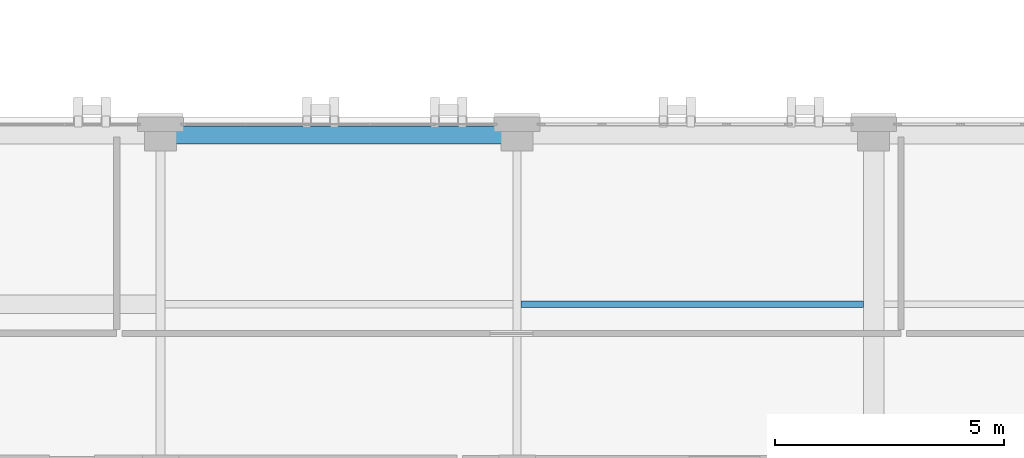
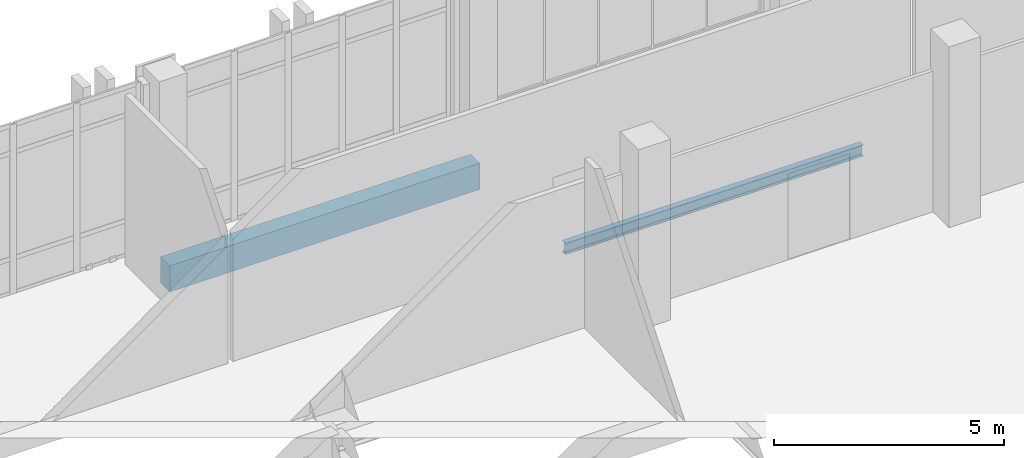
# One storey, part 122 of 189: 2 beams.
"""IFC4 building model written with IfcOpenShell, lengths in metres."""

import ifcopenshell
import ifcopenshell.guid

model = None  # the IFC model being written
_history = None  # IfcOwnerHistory: only IFC2X3 demands one
_inside = {}  # id of a spatial element -> (the spatial element, [elements in it])
_under = {}  # id of a project, library or spatial element -> (it, [spatial elements below it])
_declared = {}  # id of a project -> (the project, [libraries it declares])
_typed = {}  # id of a type object -> (the type object, [elements of that type])
_made_of = {}  # id of a material, layer set ... -> (it, [elements and type objects made of it])


def new_model(schema):
    """Start an empty IFC model of exactly this schema.

    Asked for "IFC4X3", IfcOpenShell would pick the latest addendum, in which some entities
    have other attributes; the version numbers below select the first issue.
    IFC2X3 requires an IfcOwnerHistory on every rooted entity: one is made here for all.
    """
    global model, _history
    if schema == "IFC4X3":
        model = ifcopenshell.file(schema_version=(4, 3, 0, 0))
    else:
        model = ifcopenshell.file(schema=schema)
    _inside.clear()
    _under.clear()
    _declared.clear()
    _typed.clear()
    _made_of.clear()
    _history = None
    if model.schema == "IFC2X3":
        org = make("IfcOrganization", Name="unknown")
        user = make(
            "IfcPersonAndOrganization",
            ThePerson=make("IfcPerson", FamilyName="unknown"),
            TheOrganization=org,
        )
        app = make(
            "IfcApplication",
            ApplicationDeveloper=org,
            Version="unknown",
            ApplicationFullName="unknown",
            ApplicationIdentifier="unknown",
        )
        _history = make(
            "IfcOwnerHistory",
            OwningUser=user,
            OwningApplication=app,
            ChangeAction="ADDED",
            CreationDate=0,
        )
    return model


def make(cls, **values):
    """One entity of the class cls with the attributes given. An attribute that is None is left unset."""
    return model.create_entity(
        cls, **{name: value for name, value in values.items() if value is not None}
    )


def rooted(cls, **values):
    """An entity with a GlobalId (a new one), such as an element, a storey or a relation."""
    return make(cls, GlobalId=ifcopenshell.guid.new(), OwnerHistory=_history, **values)


def si_unit(unit_type, name, prefix=None):
    """IfcSIUnit, for example si_unit("LENGTHUNIT", "METRE", prefix="MILLI")."""
    return make("IfcSIUnit", UnitType=unit_type, Prefix=prefix, Name=name)


def assignment(units):
    """IfcUnitAssignment: the units of a project."""
    return None if units is None else make("IfcUnitAssignment", Units=units)


def point(xyz):
    """IfcCartesianPoint."""
    return None if xyz is None else make("IfcCartesianPoint", Coordinates=xyz)


def direction(xyz):
    """IfcDirection."""
    return None if xyz is None else make("IfcDirection", DirectionRatios=xyz)


def frame(location, z_axis=None, x_axis=None):
    """IfcAxis2Placement3D, a coordinate frame: its origin and axes. An axis left out is left unset."""
    return make(
        "IfcAxis2Placement3D",
        Location=point(location),
        Axis=direction(z_axis),
        RefDirection=direction(x_axis),
    )


def frame_2d(location, x_axis=None):
    """IfcAxis2Placement2D, a coordinate frame in the plane: its origin and x axis."""
    return make(
        "IfcAxis2Placement2D", Location=point(location), RefDirection=direction(x_axis)
    )


def origin():
    """The frame at (0, 0, 0) with its axes left unset."""
    return frame((0.0, 0.0, 0.0))


def origin_2d():
    """The frame at (0, 0) in the plane with its x axis left unset."""
    return frame_2d((0.0, 0.0))


def place(relative_to, where):
    """IfcLocalPlacement: puts the frame where relative to a parent placement (None: the world)."""
    return make(
        "IfcLocalPlacement", PlacementRelTo=relative_to, RelativePlacement=where
    )


def context(
    kind, dimensions, precision=None, world=None, true_north=None, identifier=None
):
    """IfcGeometricRepresentationContext, for example the 3D "Model" context."""
    return make(
        "IfcGeometricRepresentationContext",
        ContextIdentifier=identifier,
        ContextType=kind,
        CoordinateSpaceDimension=dimensions,
        Precision=precision,
        WorldCoordinateSystem=world,
        TrueNorth=true_north,
    )


def subcontext(parent, identifier, kind, view, scale=None):
    """IfcGeometricRepresentationSubContext, for example "Body" below "Model"."""
    return make(
        "IfcGeometricRepresentationSubContext",
        ContextIdentifier=identifier,
        ContextType=kind,
        ParentContext=parent,
        TargetScale=scale,
        TargetView=view,
    )


def project(units=None, contexts=None):
    """IfcProject with its units and contexts."""
    return rooted(
        "IfcProject",
        Name="project",
        RepresentationContexts=contexts,
        UnitsInContext=assignment(units),
    )


def spatial(cls, under=None, at=None, **own):
    """A site, building, storey or space (cls), placed at a placement, below another one or the project."""
    s = rooted(cls, ObjectPlacement=at, **own)
    if under is not None:
        _under.setdefault(under.id(), (under, []))[1].append(s)
    return s


def profile(cls, at=None, kind="AREA", **sizes):
    """A parametric profile (cls). Its sizes go by their IFC names, for example OverallWidth=200.0."""
    return make(cls, ProfileType=kind, Position=at, **sizes)


def rectangle(**sizes):
    """IfcRectangleProfileDef."""
    return profile("IfcRectangleProfileDef", **sizes)


def i_section(**sizes):
    """IfcIShapeProfileDef."""
    return profile("IfcIShapeProfileDef", **sizes)


def extrude(swept, where, along, depth):
    """IfcExtrudedAreaSolid: the profile swept, set in the frame where, extruded along a direction by depth."""
    return make(
        "IfcExtrudedAreaSolid",
        SweptArea=swept,
        Position=where,
        ExtrudedDirection=direction(along),
        Depth=depth,
    )


def shape(context_of_items, identifier, shape_type, items):
    """IfcShapeRepresentation: the items that make up one representation, for example the "Body"."""
    return make(
        "IfcShapeRepresentation",
        ContextOfItems=context_of_items,
        RepresentationIdentifier=identifier,
        RepresentationType=shape_type,
        Items=items,
    )


def material(Name=None, Category=None):
    """IfcMaterial."""
    return make("IfcMaterial", Name=Name, Category=Category)


def material_profile(
    of_material, cross_section, Name=None, Category=None, Priority=None
):
    """IfcMaterialProfile: a cross section and its material."""
    return make(
        "IfcMaterialProfile",
        Name=Name,
        Material=of_material,
        Profile=cross_section,
        Priority=Priority,
        Category=Category,
    )


def profile_set(profiles, Name=None, composite=None):
    """IfcMaterialProfileSet."""
    return make(
        "IfcMaterialProfileSet",
        Name=Name,
        MaterialProfiles=profiles,
        CompositeProfile=composite,
    )


def made_of(thing, what):
    """Note that an element or type object is made of a material, layer set ...; save() writes the relation."""
    if what is not None:
        _made_of.setdefault(what.id(), (what, []))[1].append(thing)
    return thing


def type_object(cls, material=None, **own):
    """A type object (cls), such as IfcWallType, which elements share."""
    return made_of(rooted(cls, **own), material)


def element(
    cls,
    number,
    at=None,
    inside=None,
    cuts=None,
    type_object=None,
    material=None,
    context=None,
    identifier="Body",
    shape_type=None,
    held_by="IfcProductDefinitionShape",
    body=None,
    shapes=None,
    **own,
):
    """One element of the class cls, such as IfcWall. Its Tag is "e" and its number.

    at: its placement. inside: the storey or other place that contains it. cuts: it is an
    opening in that element (IfcRelVoidsElement). A single representation is given by context,
    identifier, shape_type and body (its items); several are given by shapes. held_by: the class
    of the entity that holds the representations. save() writes the other relations.
    """
    e = rooted(cls, Tag="e%d" % number, ObjectPlacement=at, **own)
    if body is not None:
        shapes = [shape(context, identifier, shape_type, body)]
    if shapes is not None:
        e.Representation = make(held_by, Representations=shapes)
    if inside is not None:
        _inside.setdefault(inside.id(), (inside, []))[1].append(e)
    if cuts is not None:
        rooted(
            "IfcRelVoidsElement", RelatingBuildingElement=cuts, RelatedOpeningElement=e
        )
    if type_object is not None:
        _typed.setdefault(type_object.id(), (type_object, []))[1].append(e)
    return made_of(e, material)


def aggregate(whole, parts):
    """IfcRelAggregates: a whole, such as a stair, and the parts it consists of."""
    return rooted("IfcRelAggregates", RelatingObject=whole, RelatedObjects=parts)


def save(model, path):
    """Write the relations noted so far, then the file.

    IfcRelAggregates (storeys below a building ...), IfcRelContainedInSpatialStructure (elements
    in a storey), IfcRelDefinesByType, IfcRelAssociatesMaterial and IfcRelDeclares: one each for
    every whole, place, type object, material and project.
    """
    for whole, parts in _under.values():
        aggregate(whole, parts)
    for where, things in _inside.values():
        rooted(
            "IfcRelContainedInSpatialStructure",
            RelatedElements=things,
            RelatingStructure=where,
        )
    for kind, things in _typed.values():
        rooted("IfcRelDefinesByType", RelatedObjects=things, RelatingType=kind)
    for what, things in _made_of.values():
        rooted("IfcRelAssociatesMaterial", RelatedObjects=things, RelatingMaterial=what)
    for by, libraries in _declared.values():
        rooted("IfcRelDeclares", RelatingContext=by, RelatedDefinitions=libraries)
    model.write(path)


model = new_model("IFC4")

# Units and contexts
model_context = context("Model", 3, precision=1e-05, world=origin(), true_north=direction((0.0, 1.0)))
body_context = subcontext(model_context, "Body", "Model", "MODEL_VIEW")
ifc_project = project(units=[si_unit("LENGTHUNIT", "METRE"), si_unit("AREAUNIT", "SQUARE_METRE"), si_unit("VOLUMEUNIT", "CUBIC_METRE"), si_unit("PLANEANGLEUNIT", "RADIAN"), si_unit("MASSUNIT", "GRAM", prefix="KILO")], contexts=[model_context])

# Site, building, storey
site_placement = place(None, origin())
site = spatial("IfcSite", under=ifc_project, at=site_placement, CompositionType="ELEMENT")
building_placement = place(site_placement, origin())
building = spatial("IfcBuilding", under=site, at=building_placement, Name="Qalavern Law Courts", CompositionType="ELEMENT")
storey_placement = place(building_placement, frame((0.0, 0.0, 5.39990234375)))
storey = spatial("IfcBuildingStorey", under=building, at=storey_placement, Name="L01", CompositionType="ELEMENT", Elevation=5.39990234375)

# Beams
ifc_material_1 = material(Name="Steel S355", Category="steel")
ifc_material_profile_1 = material_profile(ifc_material_1, i_section(OverallWidth=0.14990234375, OverallDepth=0.300048828125, WebThickness=0.007080078125, FlangeThickness=0.0107421875, FilletRadius=0.014892578125, at=origin_2d()), Name="IPE 300")
ifc_profile_set_1 = profile_set([ifc_material_profile_1], Name="Steel S355")
beam_type_1 = type_object("IfcBeamType", Name="STR-JST-IPE300", PredefinedType="JOIST", material=ifc_profile_set_1)
beam_1_placement = place(storey_placement, frame((142.087890625, 18.5, -0.449951171875), z_axis=(1.0, 0.0, 0.0), x_axis=(0.0, 1.0, 0.0)))
element("IfcBeam", 1, at=beam_1_placement, inside=storey, type_object=beam_type_1, Name="V6 secondary joist 6.3.1 L01", PredefinedType="JOIST", context=body_context, shape_type="SweptSolid", body=[
    extrude(i_section(OverallWidth=0.14990234375, OverallDepth=0.300048828125, WebThickness=0.007080078125, FlangeThickness=0.0107421875, FilletRadius=0.014892578125, at=origin_2d()), origin(), (0.0, 0.0, 1.0), 7.489013671875),
])
ifc_material_2 = material(Name="Concrete C40/50", Category="concrete")
ifc_material_profile_2 = material_profile(ifc_material_2, rectangle(XDim=0.39990234375, YDim=0.699951171875, at=origin_2d()), Name="RC 400x700")
ifc_profile_set_2 = profile_set([ifc_material_profile_2], Name="Concrete C40/50")
beam_type_2 = type_object("IfcBeamType", Name="STR-SP-RC400x700", PredefinedType="SPANDREL", material=ifc_profile_set_2)
beam_2_placement = place(storey_placement, frame((134.199951171875, 22.199951171875, -0.64990234375), z_axis=(1.0, 0.0, 0.0), x_axis=(0.0, 1.0, 0.0)))
element("IfcBeam", 2, at=beam_2_placement, inside=storey, type_object=beam_type_2, Name="V6 X-beam 4-5 L01", PredefinedType="SPANDREL", context=body_context, shape_type="SweptSolid", body=[
    extrude(rectangle(XDim=0.39990234375, YDim=0.699951171875, at=origin_2d()), origin(), (0.0, 0.0, 1.0), 7.800048828125),
])

save(model, "model.ifc")
